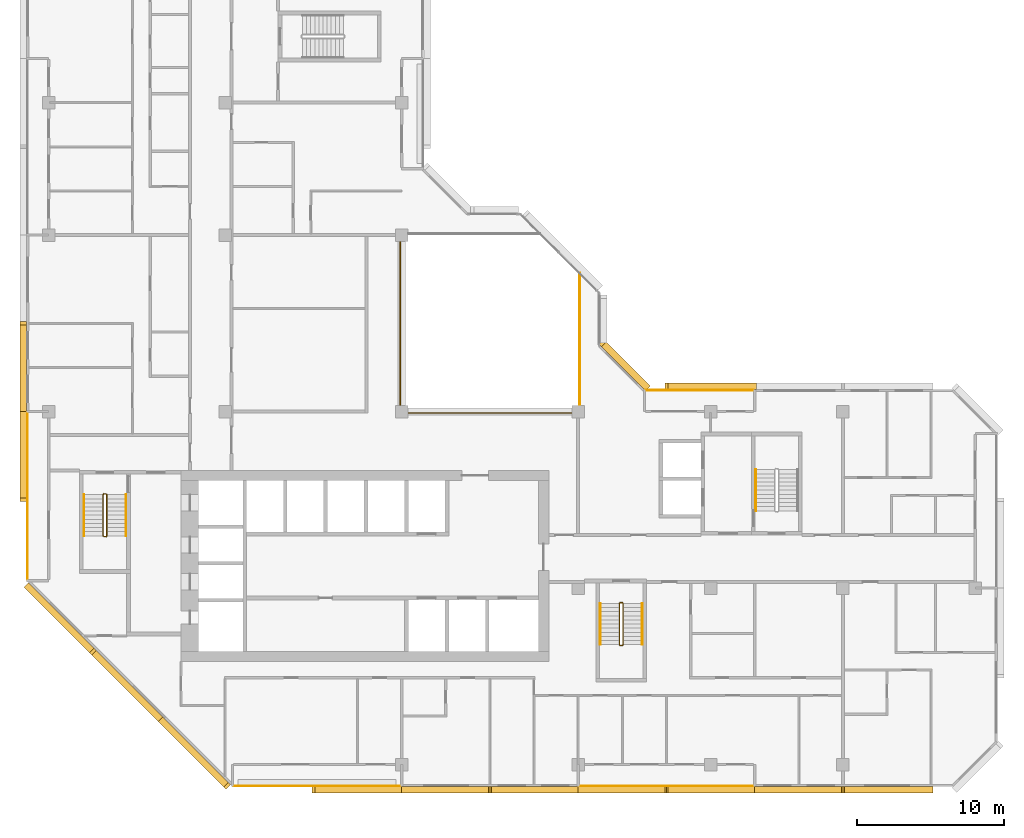
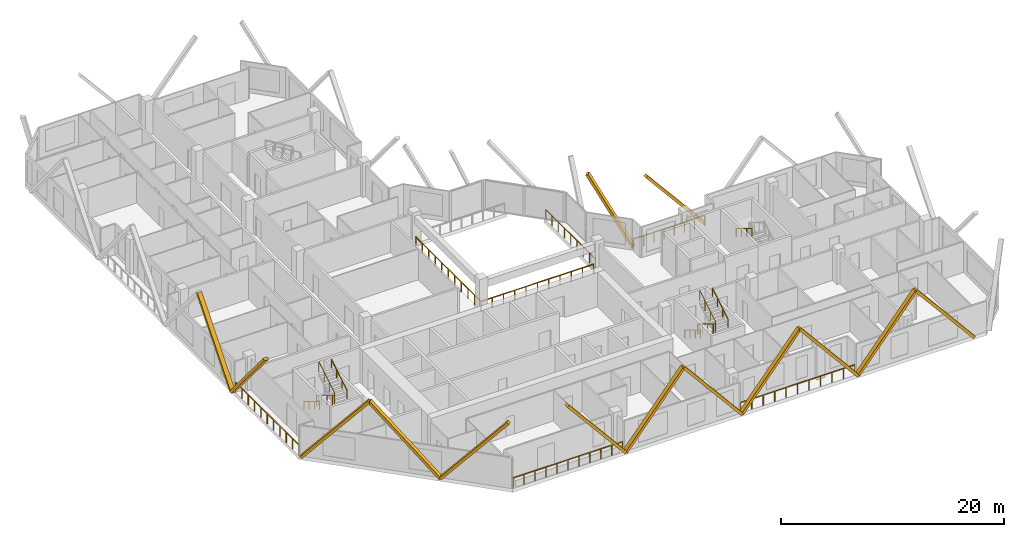
# One storey, part 13 of 14: 14 coverings, 13 railings.
"""IFC4 building model written with IfcOpenShell, lengths in metres."""

from ifc_helpers import new_model, si_unit, direction, frame, origin, origin_2d, place, context, subcontext, project, spatial, rectangle, extrude, material, material_profile, profile_set, type_object, element, save


model = new_model("IFC4")

# Units and contexts
model_context = context("Model", 3, precision=1e-05, world=origin(), true_north=direction((0.0, 1.0)))
body_context = subcontext(model_context, "Body", "Model", "MODEL_VIEW")
ifc_project = project(units=[si_unit("LENGTHUNIT", "METRE"), si_unit("AREAUNIT", "SQUARE_METRE"), si_unit("VOLUMEUNIT", "CUBIC_METRE"), si_unit("PLANEANGLEUNIT", "RADIAN"), si_unit("MASSUNIT", "GRAM", prefix="KILO")], contexts=[model_context])

# Site, building, storey
site_placement = place(None, origin())
site = spatial("IfcSite", under=ifc_project, at=site_placement, CompositionType="ELEMENT")
building_placement = place(site_placement, origin())
building = spatial("IfcBuilding", under=site, at=building_placement, Name="Chenar Terraces", CompositionType="ELEMENT")
storey_placement = place(building_placement, frame((0.0, 0.0, 226.64990234375)))
storey = spatial("IfcBuildingStorey", under=building, at=storey_placement, Name="L53", CompositionType="ELEMENT", Elevation=226.64990234375)

# Railings
ifc_material_1 = material(Name="Powder-coated steel", Category="steel")
railing_type_1 = type_object("IfcRailingType", Name="Guard 1100 steel rail with glass infill", PredefinedType="GUARDRAIL", material=ifc_material_1)
railing_1_placement = place(storey_placement, frame((23.89990234375, 35.574951171875, 0.0)))
element("IfcRailing", 1, at=railing_1_placement, inside=storey, type_object=railing_type_1, Name="Guard L53-1", PredefinedType="GUARDRAIL", context=body_context, shape_type="SweptSolid", body=[
    extrude(rectangle(XDim=0.06005859375, YDim=0.06005859375, at=origin_2d()), frame((0.0, 0.0, 1.070068359375), z_axis=(0.0, -1.0, 0.0), x_axis=(1.0, 0.0, 0.0)), (0.0, 0.0, 1.0), 11.675048828125),
    extrude(rectangle(XDim=0.06005859375, YDim=0.06005859375, at=origin_2d()), frame((0.0, -11.675048828125, 1.070068359375), z_axis=(1.0, 0.0, 0.0), x_axis=(0.0, 1.0, 0.0)), (0.0, 0.0, 1.0), 11.675048828125),
    extrude(rectangle(XDim=0.050048828125, YDim=0.050048828125, at=origin_2d()), origin(), (0.0, 0.0, 1.0), 1.0400390625),
    extrude(rectangle(XDim=0.050048828125, YDim=0.050048828125, at=origin_2d()), frame((0.0, -1.16748046875, 0.0)), (0.0, 0.0, 1.0), 1.0400390625),
    extrude(rectangle(XDim=0.050048828125, YDim=0.050048828125, at=origin_2d()), frame((0.0, -2.3349609375, 0.0)), (0.0, 0.0, 1.0), 1.0400390625),
    extrude(rectangle(XDim=0.050048828125, YDim=0.050048828125, at=origin_2d()), frame((0.0, -3.50244140625, 0.0)), (0.0, 0.0, 1.0), 1.0400390625),
    extrude(rectangle(XDim=0.050048828125, YDim=0.050048828125, at=origin_2d()), frame((0.0, -4.669921875, 0.0)), (0.0, 0.0, 1.0), 1.0400390625),
    extrude(rectangle(XDim=0.050048828125, YDim=0.050048828125, at=origin_2d()), frame((0.0, -5.83740234375, 0.0)), (0.0, 0.0, 1.0), 1.0400390625),
    extrude(rectangle(XDim=0.050048828125, YDim=0.050048828125, at=origin_2d()), frame((0.0, -7.005126953125, 0.0)), (0.0, 0.0, 1.0), 1.0400390625),
    extrude(rectangle(XDim=0.050048828125, YDim=0.050048828125, at=origin_2d()), frame((0.0, -8.172607421875, 0.0)), (0.0, 0.0, 1.0), 1.0400390625),
    extrude(rectangle(XDim=0.050048828125, YDim=0.050048828125, at=origin_2d()), frame((0.0, -9.340087890625, 0.0)), (0.0, 0.0, 1.0), 1.0400390625),
    extrude(rectangle(XDim=0.050048828125, YDim=0.050048828125, at=origin_2d()), frame((0.0, -10.507568359375, 0.0)), (0.0, 0.0, 1.0), 1.0400390625),
    extrude(rectangle(XDim=0.050048828125, YDim=0.050048828125, at=origin_2d()), frame((0.0, -11.675048828125, 0.0)), (0.0, 0.0, 1.0), 1.0400390625),
    extrude(rectangle(XDim=0.050048828125, YDim=0.050048828125, at=origin_2d()), frame((1.16748046875, -11.675048828125, 0.0)), (0.0, 0.0, 1.0), 1.0400390625),
    extrude(rectangle(XDim=0.050048828125, YDim=0.050048828125, at=origin_2d()), frame((2.3349609375, -11.675048828125, 0.0)), (0.0, 0.0, 1.0), 1.0400390625),
    extrude(rectangle(XDim=0.050048828125, YDim=0.050048828125, at=origin_2d()), frame((3.50244140625, -11.675048828125, 0.0)), (0.0, 0.0, 1.0), 1.0400390625),
    extrude(rectangle(XDim=0.050048828125, YDim=0.050048828125, at=origin_2d()), frame((4.669921875, -11.675048828125, 0.0)), (0.0, 0.0, 1.0), 1.0400390625),
    extrude(rectangle(XDim=0.050048828125, YDim=0.050048828125, at=origin_2d()), frame((5.83740234375, -11.675048828125, 0.0)), (0.0, 0.0, 1.0), 1.0400390625),
    extrude(rectangle(XDim=0.050048828125, YDim=0.050048828125, at=origin_2d()), frame((7.005126953125, -11.675048828125, 0.0)), (0.0, 0.0, 1.0), 1.0400390625),
    extrude(rectangle(XDim=0.050048828125, YDim=0.050048828125, at=origin_2d()), frame((8.172607421875, -11.675048828125, 0.0)), (0.0, 0.0, 1.0), 1.0400390625),
    extrude(rectangle(XDim=0.050048828125, YDim=0.050048828125, at=origin_2d()), frame((9.340087890625, -11.675048828125, 0.0)), (0.0, 0.0, 1.0), 1.0400390625),
    extrude(rectangle(XDim=0.050048828125, YDim=0.050048828125, at=origin_2d()), frame((10.507568359375, -11.675048828125, 0.0)), (0.0, 0.0, 1.0), 1.0400390625),
    extrude(rectangle(XDim=0.050048828125, YDim=0.050048828125, at=origin_2d()), frame((11.675048828125, -11.675048828125, 0.0)), (0.0, 0.0, 1.0), 1.0400390625),
])
railing_2_placement = place(storey_placement, frame((36.10009765625, 24.47509765625, 0.0)))
element("IfcRailing", 2, at=railing_2_placement, inside=storey, type_object=railing_type_1, Name="Guard L53-3", PredefinedType="GUARDRAIL", context=body_context, shape_type="SweptSolid", body=[
    extrude(rectangle(XDim=0.06005859375, YDim=0.06005859375, at=origin_2d()), frame((0.0, 0.0, 1.070068359375), z_axis=(0.0, 1.0, 0.0), x_axis=(-1.0, 0.0, 0.0)), (0.0, 0.0, 1.0), 8.9248046875),
    extrude(rectangle(XDim=0.050048828125, YDim=0.050048828125, at=origin_2d()), origin(), (0.0, 0.0, 1.0), 1.0400390625),
    extrude(rectangle(XDim=0.050048828125, YDim=0.050048828125, at=origin_2d()), frame((0.0, 1.11572265625, 0.0)), (0.0, 0.0, 1.0), 1.0400390625),
    extrude(rectangle(XDim=0.050048828125, YDim=0.050048828125, at=origin_2d()), frame((0.0, 2.231201171875, 0.0)), (0.0, 0.0, 1.0), 1.0400390625),
    extrude(rectangle(XDim=0.050048828125, YDim=0.050048828125, at=origin_2d()), frame((0.0, 3.3466796875, 0.0)), (0.0, 0.0, 1.0), 1.0400390625),
    extrude(rectangle(XDim=0.050048828125, YDim=0.050048828125, at=origin_2d()), frame((0.0, 4.46240234375, 0.0)), (0.0, 0.0, 1.0), 1.0400390625),
    extrude(rectangle(XDim=0.050048828125, YDim=0.050048828125, at=origin_2d()), frame((0.0, 5.578125, 0.0)), (0.0, 0.0, 1.0), 1.0400390625),
    extrude(rectangle(XDim=0.050048828125, YDim=0.050048828125, at=origin_2d()), frame((0.0, 6.693603515625, 0.0)), (0.0, 0.0, 1.0), 1.0400390625),
    extrude(rectangle(XDim=0.050048828125, YDim=0.050048828125, at=origin_2d()), frame((0.0, 7.80908203125, 0.0)), (0.0, 0.0, 1.0), 1.0400390625),
    extrude(rectangle(XDim=0.050048828125, YDim=0.050048828125, at=origin_2d()), frame((0.0, 8.9248046875, 0.0)), (0.0, 0.0, 1.0), 1.0400390625),
])
ifc_material_2 = material(Name="Stainless steel and glass", Category="steel")
railing_type_2 = type_object("IfcRailingType", Name="Loggia guard 1150", PredefinedType="GUARDRAIL", material=ifc_material_2)
railing_3_placement = place(storey_placement, frame((47.925048828125, 25.449951171875, 0.0)))
element("IfcRailing", 3, at=railing_3_placement, inside=storey, type_object=railing_type_2, Name="Loggia guard", PredefinedType="GUARDRAIL", context=body_context, shape_type="SweptSolid", body=[
    extrude(rectangle(XDim=0.048095703125, YDim=0.048095703125, at=origin_2d()), frame((0.0, 0.0, 1.1259765625), z_axis=(-1.0, 0.0, 0.0), x_axis=(0.0, -1.0, 0.0)), (0.0, 0.0, 1.0), 7.35009765625),
    extrude(rectangle(XDim=0.0419921875, YDim=0.0419921875, at=origin_2d()), origin(), (0.0, 0.0, 1.0), 1.101806640625),
    extrude(rectangle(XDim=0.0419921875, YDim=0.0419921875, at=origin_2d()), frame((-1.050048828125, 0.0, 0.0)), (0.0, 0.0, 1.0), 1.101806640625),
    extrude(rectangle(XDim=0.0419921875, YDim=0.0419921875, at=origin_2d()), frame((-2.10009765625, 0.0, 0.0)), (0.0, 0.0, 1.0), 1.101806640625),
    extrude(rectangle(XDim=0.0419921875, YDim=0.0419921875, at=origin_2d()), frame((-3.150146484375, 0.0, 0.0)), (0.0, 0.0, 1.0), 1.101806640625),
    extrude(rectangle(XDim=0.0419921875, YDim=0.0419921875, at=origin_2d()), frame((-4.199951171875, 0.0, 0.0)), (0.0, 0.0, 1.0), 1.101806640625),
    extrude(rectangle(XDim=0.0419921875, YDim=0.0419921875, at=origin_2d()), frame((-5.25, 0.0, 0.0)), (0.0, 0.0, 1.0), 1.101806640625),
    extrude(rectangle(XDim=0.0419921875, YDim=0.0419921875, at=origin_2d()), frame((-6.300048828125, 0.0, 0.0)), (0.0, 0.0, 1.0), 1.101806640625),
    extrude(rectangle(XDim=0.0419921875, YDim=0.0419921875, at=origin_2d()), frame((-7.35009765625, 0.0, 0.0)), (0.0, 0.0, 1.0), 1.101806640625),
])
railing_4_placement = place(storey_placement, frame((12.574951171875, -1.449951171875, 0.0)))
element("IfcRailing", 4, at=railing_4_placement, inside=storey, type_object=railing_type_2, Name="Loggia guard", PredefinedType="GUARDRAIL", context=body_context, shape_type="SweptSolid", body=[
    extrude(rectangle(XDim=0.048095703125, YDim=0.048095703125, at=origin_2d()), frame((0.0, 0.0, 1.1259765625), z_axis=(1.0, 0.0, 0.0), x_axis=(0.0, 1.0, 0.0)), (0.0, 0.0, 1.0), 11.35009765625),
    extrude(rectangle(XDim=0.0419921875, YDim=0.0419921875, at=origin_2d()), origin(), (0.0, 0.0, 1.0), 1.101806640625),
    extrude(rectangle(XDim=0.0419921875, YDim=0.0419921875, at=origin_2d()), frame((1.135009765625, 0.0, 0.0)), (0.0, 0.0, 1.0), 1.101806640625),
    extrude(rectangle(XDim=0.0419921875, YDim=0.0419921875, at=origin_2d()), frame((2.27001953125, 0.0, 0.0)), (0.0, 0.0, 1.0), 1.101806640625),
    extrude(rectangle(XDim=0.0419921875, YDim=0.0419921875, at=origin_2d()), frame((3.405029296875, 0.0, 0.0)), (0.0, 0.0, 1.0), 1.101806640625),
    extrude(rectangle(XDim=0.0419921875, YDim=0.0419921875, at=origin_2d()), frame((4.5400390625, 0.0, 0.0)), (0.0, 0.0, 1.0), 1.101806640625),
    extrude(rectangle(XDim=0.0419921875, YDim=0.0419921875, at=origin_2d()), frame((5.675048828125, 0.0, 0.0)), (0.0, 0.0, 1.0), 1.101806640625),
    extrude(rectangle(XDim=0.0419921875, YDim=0.0419921875, at=origin_2d()), frame((6.81005859375, 0.0, 0.0)), (0.0, 0.0, 1.0), 1.101806640625),
    extrude(rectangle(XDim=0.0419921875, YDim=0.0419921875, at=origin_2d()), frame((7.945068359375, 0.0, 0.0)), (0.0, 0.0, 1.0), 1.101806640625),
    extrude(rectangle(XDim=0.0419921875, YDim=0.0419921875, at=origin_2d()), frame((9.080078125, 0.0, 0.0)), (0.0, 0.0, 1.0), 1.101806640625),
    extrude(rectangle(XDim=0.0419921875, YDim=0.0419921875, at=origin_2d()), frame((10.215087890625, 0.0, 0.0)), (0.0, 0.0, 1.0), 1.101806640625),
    extrude(rectangle(XDim=0.0419921875, YDim=0.0419921875, at=origin_2d()), frame((11.35009765625, 0.0, 0.0)), (0.0, 0.0, 1.0), 1.101806640625),
])
railing_5_placement = place(storey_placement, frame((36.074951171875, -1.449951171875, 0.0)))
element("IfcRailing", 5, at=railing_5_placement, inside=storey, type_object=railing_type_2, Name="Loggia guard", PredefinedType="GUARDRAIL", context=body_context, shape_type="SweptSolid", body=[
    extrude(rectangle(XDim=0.048095703125, YDim=0.048095703125, at=origin_2d()), frame((0.0, 0.0, 1.1259765625), z_axis=(1.0, 0.0, 0.0), x_axis=(0.0, 1.0, 0.0)), (0.0, 0.0, 1.0), 11.85009765625),
    extrude(rectangle(XDim=0.0419921875, YDim=0.0419921875, at=origin_2d()), origin(), (0.0, 0.0, 1.0), 1.101806640625),
    extrude(rectangle(XDim=0.0419921875, YDim=0.0419921875, at=origin_2d()), frame((1.18505859375, 0.0, 0.0)), (0.0, 0.0, 1.0), 1.101806640625),
    extrude(rectangle(XDim=0.0419921875, YDim=0.0419921875, at=origin_2d()), frame((2.3701171875, 0.0, 0.0)), (0.0, 0.0, 1.0), 1.101806640625),
    extrude(rectangle(XDim=0.0419921875, YDim=0.0419921875, at=origin_2d()), frame((3.554931640625, 0.0, 0.0)), (0.0, 0.0, 1.0), 1.101806640625),
    extrude(rectangle(XDim=0.0419921875, YDim=0.0419921875, at=origin_2d()), frame((4.739990234375, 0.0, 0.0)), (0.0, 0.0, 1.0), 1.101806640625),
    extrude(rectangle(XDim=0.0419921875, YDim=0.0419921875, at=origin_2d()), frame((5.925048828125, 0.0, 0.0)), (0.0, 0.0, 1.0), 1.101806640625),
    extrude(rectangle(XDim=0.0419921875, YDim=0.0419921875, at=origin_2d()), frame((7.110107421875, 0.0, 0.0)), (0.0, 0.0, 1.0), 1.101806640625),
    extrude(rectangle(XDim=0.0419921875, YDim=0.0419921875, at=origin_2d()), frame((8.295166015625, 0.0, 0.0)), (0.0, 0.0, 1.0), 1.101806640625),
    extrude(rectangle(XDim=0.0419921875, YDim=0.0419921875, at=origin_2d()), frame((9.47998046875, 0.0, 0.0)), (0.0, 0.0, 1.0), 1.101806640625),
    extrude(rectangle(XDim=0.0419921875, YDim=0.0419921875, at=origin_2d()), frame((10.6650390625, 0.0, 0.0)), (0.0, 0.0, 1.0), 1.101806640625),
    extrude(rectangle(XDim=0.0419921875, YDim=0.0419921875, at=origin_2d()), frame((11.85009765625, 0.0, 0.0)), (0.0, 0.0, 1.0), 1.101806640625),
])
railing_6_placement = place(storey_placement, frame((-1.449951171875, 23.925048828125, 0.0)))
element("IfcRailing", 6, at=railing_6_placement, inside=storey, type_object=railing_type_2, Name="Loggia guard", PredefinedType="GUARDRAIL", context=body_context, shape_type="SweptSolid", body=[
    extrude(rectangle(XDim=0.048095703125, YDim=0.048095703125, at=origin_2d()), frame((0.0, 0.0, 1.1259765625), z_axis=(0.0, -1.0, 0.0), x_axis=(1.0, 0.0, 0.0)), (0.0, 0.0, 1.0), 11.35009765625),
    extrude(rectangle(XDim=0.0419921875, YDim=0.0419921875, at=origin_2d()), origin(), (0.0, 0.0, 1.0), 1.101806640625),
    extrude(rectangle(XDim=0.0419921875, YDim=0.0419921875, at=origin_2d()), frame((0.0, -1.135009765625, 0.0)), (0.0, 0.0, 1.0), 1.101806640625),
    extrude(rectangle(XDim=0.0419921875, YDim=0.0419921875, at=origin_2d()), frame((0.0, -2.27001953125, 0.0)), (0.0, 0.0, 1.0), 1.101806640625),
    extrude(rectangle(XDim=0.0419921875, YDim=0.0419921875, at=origin_2d()), frame((0.0, -3.405029296875, 0.0)), (0.0, 0.0, 1.0), 1.101806640625),
    extrude(rectangle(XDim=0.0419921875, YDim=0.0419921875, at=origin_2d()), frame((0.0, -4.5400390625, 0.0)), (0.0, 0.0, 1.0), 1.101806640625),
    extrude(rectangle(XDim=0.0419921875, YDim=0.0419921875, at=origin_2d()), frame((0.0, -5.675048828125, 0.0)), (0.0, 0.0, 1.0), 1.101806640625),
    extrude(rectangle(XDim=0.0419921875, YDim=0.0419921875, at=origin_2d()), frame((0.0, -6.81005859375, 0.0)), (0.0, 0.0, 1.0), 1.101806640625),
    extrude(rectangle(XDim=0.0419921875, YDim=0.0419921875, at=origin_2d()), frame((0.0, -7.945068359375, 0.0)), (0.0, 0.0, 1.0), 1.101806640625),
    extrude(rectangle(XDim=0.0419921875, YDim=0.0419921875, at=origin_2d()), frame((0.0, -9.080078125, 0.0)), (0.0, 0.0, 1.0), 1.101806640625),
    extrude(rectangle(XDim=0.0419921875, YDim=0.0419921875, at=origin_2d()), frame((0.0, -10.215087890625, 0.0)), (0.0, 0.0, 1.0), 1.101806640625),
    extrude(rectangle(XDim=0.0419921875, YDim=0.0419921875, at=origin_2d()), frame((0.0, -11.35009765625, 0.0)), (0.0, 0.0, 1.0), 1.101806640625),
])
ifc_material_3 = material(Name="Powder-coated steel", Category="steel")
railing_type_3 = type_object("IfcRailingType", Name="Stair guard 1100", PredefinedType="GUARDRAIL", material=ifc_material_3)
railing_7_placement = place(storey_placement, frame((3.949951171875, 18.35009765625, 3.75)))
element("IfcRailing", 7, at=railing_7_placement, inside=storey, type_object=railing_type_3, Name="L53 ST1 stair guard 1", PredefinedType="GUARDRAIL", context=body_context, shape_type="SweptSolid", body=[
    extrude(rectangle(XDim=0.048095703125, YDim=0.048095703125, at=origin_2d()), frame((0.0, 0.0, 1.076171875), z_axis=(0.0, -0.854202870247, -0.519939858505), x_axis=(1.0, 0.0, 0.0)), (0.0, 0.0, 1.0), 3.278076171875),
    extrude(rectangle(XDim=0.048095703125, YDim=0.048095703125, at=origin_2d()), frame((0.0, -2.800048828125, -0.62841796875), z_axis=(-0.270899902878, -0.270899902878, -0.923702595667), x_axis=(0.707106781187, -0.707106781187, 0.0)), (0.0, 0.0, 1.0), 0.184814453125),
    extrude(rectangle(XDim=0.048095703125, YDim=0.048095703125, at=origin_2d()), frame((-0.050048828125, -2.85009765625, -0.798828125), z_axis=(-1.0, 0.0, 0.0), x_axis=(0.0, -1.0, 0.0)), (0.0, 0.0, 1.0), 0.14990234375),
    extrude(rectangle(XDim=0.048095703125, YDim=0.048095703125, at=origin_2d()), frame((-0.199951171875, -2.85009765625, -0.798828125), z_axis=(-0.707106781187, 0.707106781187, 0.0), x_axis=(-0.707106781187, -0.707106781187, 0.0)), (0.0, 0.0, 1.0), 0.07080078125),
    extrude(rectangle(XDim=0.048095703125, YDim=0.048095703125, at=origin_2d()), frame((-0.25, -2.800048828125, -0.798828125), z_axis=(0.0, 0.854202870247, -0.519939858505), x_axis=(-1.0, 0.0, 0.0)), (0.0, 0.0, 1.0), 3.278076171875),
    extrude(rectangle(XDim=0.048095703125, YDim=0.048095703125, at=origin_2d()), frame((-0.25, 0.0, -2.50341796875), z_axis=(0.270996696079, 0.269674760976, -0.924032636873), x_axis=(-0.705375805398, 0.708833529934, 0.0)), (0.0, 0.0, 1.0), 0.1845703125),
    extrude(rectangle(XDim=0.048095703125, YDim=0.048095703125, at=origin_2d()), frame((-0.199951171875, 0.0498046875, -2.673828125), z_axis=(1.0, 0.0, 0.0), x_axis=(0.0, 1.0, 0.0)), (0.0, 0.0, 1.0), 0.14990234375),
    extrude(rectangle(XDim=0.0419921875, YDim=0.0419921875, at=origin_2d()), origin(), (0.0, 0.0, 1.0), 1.052001953125),
    extrude(rectangle(XDim=0.0419921875, YDim=0.0419921875, at=origin_2d()), frame((0.0, -0.933349609375, -0.568115234375)), (0.0, 0.0, 1.0), 1.052001953125),
    extrude(rectangle(XDim=0.0419921875, YDim=0.0419921875, at=origin_2d()), frame((0.0, -1.86669921875, -1.13623046875)), (0.0, 0.0, 1.0), 1.052001953125),
    extrude(rectangle(XDim=0.0419921875, YDim=0.0419921875, at=origin_2d()), frame((0.0, -2.800048828125, -1.704345703125)), (0.0, 0.0, 1.0), 1.052001953125),
    extrude(rectangle(XDim=0.0419921875, YDim=0.0419921875, at=origin_2d()), frame((-0.050048828125, -2.85009765625, -1.875)), (0.0, 0.0, 1.0), 1.052001953125),
    extrude(rectangle(XDim=0.0419921875, YDim=0.0419921875, at=origin_2d()), frame((-0.199951171875, -2.85009765625, -1.875)), (0.0, 0.0, 1.0), 1.052001953125),
    extrude(rectangle(XDim=0.0419921875, YDim=0.0419921875, at=origin_2d()), frame((-0.25, -2.800048828125, -1.875)), (0.0, 0.0, 1.0), 1.052001953125),
    extrude(rectangle(XDim=0.0419921875, YDim=0.0419921875, at=origin_2d()), frame((-0.25, -1.86669921875, -2.443115234375)), (0.0, 0.0, 1.0), 1.052001953125),
    extrude(rectangle(XDim=0.0419921875, YDim=0.0419921875, at=origin_2d()), frame((-0.25, -0.933349609375, -3.01123046875)), (0.0, 0.0, 1.0), 1.052001953125),
    extrude(rectangle(XDim=0.0419921875, YDim=0.0419921875, at=origin_2d()), frame((-0.25, 0.0, -3.579345703125)), (0.0, 0.0, 1.0), 1.052001953125),
    extrude(rectangle(XDim=0.0419921875, YDim=0.0419921875, at=origin_2d()), frame((-0.199951171875, 0.0498046875, -3.75)), (0.0, 0.0, 1.0), 1.052001953125),
    extrude(rectangle(XDim=0.0419921875, YDim=0.0419921875, at=origin_2d()), frame((-0.050048828125, 0.0498046875, -3.75)), (0.0, 0.0, 1.0), 1.052001953125),
])
railing_8_placement = place(storey_placement, frame((39.050048828125, 10.949951171875, 3.75)))
element("IfcRailing", 8, at=railing_8_placement, inside=storey, type_object=railing_type_3, Name="L53 ST2 stair guard 1", PredefinedType="GUARDRAIL", context=body_context, shape_type="SweptSolid", body=[
    extrude(rectangle(XDim=0.048095703125, YDim=0.048095703125, at=origin_2d()), frame((0.0, 0.0, 1.076171875), z_axis=(0.0, -0.854202870247, -0.519939858505), x_axis=(1.0, 0.0, 0.0)), (0.0, 0.0, 1.0), 3.278076171875),
    extrude(rectangle(XDim=0.048095703125, YDim=0.048095703125, at=origin_2d()), frame((0.0, -2.800048828125, -0.62841796875), z_axis=(-0.270996696079, -0.269674760976, -0.924032636873), x_axis=(0.705375805398, -0.708833529934, 0.0)), (0.0, 0.0, 1.0), 0.1845703125),
    extrude(rectangle(XDim=0.048095703125, YDim=0.048095703125, at=origin_2d()), frame((-0.050048828125, -2.849853515625, -0.798828125), z_axis=(-1.0, 0.0, 0.0), x_axis=(0.0, -1.0, 0.0)), (0.0, 0.0, 1.0), 0.14990234375),
    extrude(rectangle(XDim=0.048095703125, YDim=0.048095703125, at=origin_2d()), frame((-0.199951171875, -2.849853515625, -0.798828125), z_axis=(-0.708833529934, 0.705375805398, 0.0), x_axis=(-0.705375805398, -0.708833529934, 0.0)), (0.0, 0.0, 1.0), 0.070556640625),
    extrude(rectangle(XDim=0.048095703125, YDim=0.048095703125, at=origin_2d()), frame((-0.25, -2.800048828125, -0.798828125), z_axis=(0.0, 0.854202870247, -0.519939858505), x_axis=(-1.0, 0.0, 0.0)), (0.0, 0.0, 1.0), 3.278076171875),
    extrude(rectangle(XDim=0.048095703125, YDim=0.048095703125, at=origin_2d()), frame((-0.25, 0.0, -2.50341796875), z_axis=(0.270899902878, 0.270899902878, -0.923702595667), x_axis=(-0.707106781187, 0.707106781187, 0.0)), (0.0, 0.0, 1.0), 0.184814453125),
    extrude(rectangle(XDim=0.048095703125, YDim=0.048095703125, at=origin_2d()), frame((-0.199951171875, 0.050048828125, -2.673828125), z_axis=(1.0, 0.0, 0.0), x_axis=(0.0, 1.0, 0.0)), (0.0, 0.0, 1.0), 0.14990234375),
    extrude(rectangle(XDim=0.0419921875, YDim=0.0419921875, at=origin_2d()), origin(), (0.0, 0.0, 1.0), 1.052001953125),
    extrude(rectangle(XDim=0.0419921875, YDim=0.0419921875, at=origin_2d()), frame((0.0, -0.933349609375, -0.568115234375)), (0.0, 0.0, 1.0), 1.052001953125),
    extrude(rectangle(XDim=0.0419921875, YDim=0.0419921875, at=origin_2d()), frame((0.0, -1.86669921875, -1.13623046875)), (0.0, 0.0, 1.0), 1.052001953125),
    extrude(rectangle(XDim=0.0419921875, YDim=0.0419921875, at=origin_2d()), frame((0.0, -2.800048828125, -1.704345703125)), (0.0, 0.0, 1.0), 1.052001953125),
    extrude(rectangle(XDim=0.0419921875, YDim=0.0419921875, at=origin_2d()), frame((-0.050048828125, -2.849853515625, -1.875)), (0.0, 0.0, 1.0), 1.052001953125),
    extrude(rectangle(XDim=0.0419921875, YDim=0.0419921875, at=origin_2d()), frame((-0.199951171875, -2.849853515625, -1.875)), (0.0, 0.0, 1.0), 1.052001953125),
    extrude(rectangle(XDim=0.0419921875, YDim=0.0419921875, at=origin_2d()), frame((-0.25, -2.800048828125, -1.875)), (0.0, 0.0, 1.0), 1.052001953125),
    extrude(rectangle(XDim=0.0419921875, YDim=0.0419921875, at=origin_2d()), frame((-0.25, -1.86669921875, -2.443115234375)), (0.0, 0.0, 1.0), 1.052001953125),
    extrude(rectangle(XDim=0.0419921875, YDim=0.0419921875, at=origin_2d()), frame((-0.25, -0.933349609375, -3.01123046875)), (0.0, 0.0, 1.0), 1.052001953125),
    extrude(rectangle(XDim=0.0419921875, YDim=0.0419921875, at=origin_2d()), frame((-0.25, 0.0, -3.579345703125)), (0.0, 0.0, 1.0), 1.052001953125),
    extrude(rectangle(XDim=0.0419921875, YDim=0.0419921875, at=origin_2d()), frame((-0.199951171875, 0.050048828125, -3.75)), (0.0, 0.0, 1.0), 1.052001953125),
    extrude(rectangle(XDim=0.0419921875, YDim=0.0419921875, at=origin_2d()), frame((-0.050048828125, 0.050048828125, -3.75)), (0.0, 0.0, 1.0), 1.052001953125),
])
ifc_material_4 = material(Name="Powder-coated steel", Category="steel")
railing_type_4 = type_object("IfcRailingType", Name="Stair handrail 900", PredefinedType="HANDRAIL", material=ifc_material_4)
railing_9_placement = place(storey_placement, frame((2.39990234375, 18.35009765625, 0.170654296875)))
element("IfcRailing", 9, at=railing_9_placement, inside=storey, type_object=railing_type_4, Name="L53 ST1 stair handrail 1", PredefinedType="HANDRAIL", context=body_context, shape_type="SweptSolid", body=[
    extrude(rectangle(XDim=0.048095703125, YDim=0.048095703125, at=origin_2d()), frame((0.0, 0.0, 0.8759765625), z_axis=(0.0, -0.854202870247, 0.519939858505), x_axis=(1.0, 0.0, 0.0)), (0.0, 0.0, 1.0), 3.278076171875),
    extrude(rectangle(XDim=0.0419921875, YDim=0.0419921875, at=origin_2d()), origin(), (0.0, 0.0, 1.0), 0.851806640625),
    extrude(rectangle(XDim=0.0419921875, YDim=0.0419921875, at=origin_2d()), frame((0.0, -0.933349609375, 0.568115234375)), (0.0, 0.0, 1.0), 0.851806640625),
    extrude(rectangle(XDim=0.0419921875, YDim=0.0419921875, at=origin_2d()), frame((0.0, -1.86669921875, 1.13623046875)), (0.0, 0.0, 1.0), 0.851806640625),
    extrude(rectangle(XDim=0.0419921875, YDim=0.0419921875, at=origin_2d()), frame((0.0, -2.800048828125, 1.704345703125)), (0.0, 0.0, 1.0), 0.851806640625),
])
railing_10_placement = place(storey_placement, frame((5.25, 15.550048828125, 2.045654296875)))
element("IfcRailing", 10, at=railing_10_placement, inside=storey, type_object=railing_type_4, Name="L53 ST1 stair handrail 2", PredefinedType="HANDRAIL", context=body_context, shape_type="SweptSolid", body=[
    extrude(rectangle(XDim=0.048095703125, YDim=0.048095703125, at=origin_2d()), frame((0.0, 0.0, 0.8759765625), z_axis=(0.0, 0.854202870247, 0.519939858505), x_axis=(-1.0, 0.0, 0.0)), (0.0, 0.0, 1.0), 3.278076171875),
    extrude(rectangle(XDim=0.0419921875, YDim=0.0419921875, at=origin_2d()), origin(), (0.0, 0.0, 1.0), 0.851806640625),
    extrude(rectangle(XDim=0.0419921875, YDim=0.0419921875, at=origin_2d()), frame((0.0, 0.933349609375, 0.568115234375)), (0.0, 0.0, 1.0), 0.851806640625),
    extrude(rectangle(XDim=0.0419921875, YDim=0.0419921875, at=origin_2d()), frame((0.0, 1.86669921875, 1.13623046875)), (0.0, 0.0, 1.0), 0.851806640625),
    extrude(rectangle(XDim=0.0419921875, YDim=0.0419921875, at=origin_2d()), frame((0.0, 2.800048828125, 1.704345703125)), (0.0, 0.0, 1.0), 0.851806640625),
])
railing_11_placement = place(storey_placement, frame((37.5, 10.949951171875, 0.170654296875)))
element("IfcRailing", 11, at=railing_11_placement, inside=storey, type_object=railing_type_4, Name="L53 ST2 stair handrail 1", PredefinedType="HANDRAIL", context=body_context, shape_type="SweptSolid", body=[
    extrude(rectangle(XDim=0.048095703125, YDim=0.048095703125, at=origin_2d()), frame((0.0, 0.0, 0.8759765625), z_axis=(0.0, -0.854202870247, 0.519939858505), x_axis=(1.0, 0.0, 0.0)), (0.0, 0.0, 1.0), 3.278076171875),
    extrude(rectangle(XDim=0.0419921875, YDim=0.0419921875, at=origin_2d()), origin(), (0.0, 0.0, 1.0), 0.851806640625),
    extrude(rectangle(XDim=0.0419921875, YDim=0.0419921875, at=origin_2d()), frame((0.0, -0.933349609375, 0.568115234375)), (0.0, 0.0, 1.0), 0.851806640625),
    extrude(rectangle(XDim=0.0419921875, YDim=0.0419921875, at=origin_2d()), frame((0.0, -1.86669921875, 1.13623046875)), (0.0, 0.0, 1.0), 0.851806640625),
    extrude(rectangle(XDim=0.0419921875, YDim=0.0419921875, at=origin_2d()), frame((0.0, -2.800048828125, 1.704345703125)), (0.0, 0.0, 1.0), 0.851806640625),
])
railing_12_placement = place(storey_placement, frame((40.35009765625, 8.14990234375, 2.045654296875)))
element("IfcRailing", 12, at=railing_12_placement, inside=storey, type_object=railing_type_4, Name="L53 ST2 stair handrail 2", PredefinedType="HANDRAIL", context=body_context, shape_type="SweptSolid", body=[
    extrude(rectangle(XDim=0.048095703125, YDim=0.048095703125, at=origin_2d()), frame((0.0, 0.0, 0.8759765625), z_axis=(0.0, 0.854202870247, 0.519939858505), x_axis=(-1.0, 0.0, 0.0)), (0.0, 0.0, 1.0), 3.278076171875),
    extrude(rectangle(XDim=0.0419921875, YDim=0.0419921875, at=origin_2d()), origin(), (0.0, 0.0, 1.0), 0.851806640625),
    extrude(rectangle(XDim=0.0419921875, YDim=0.0419921875, at=origin_2d()), frame((0.0, 0.933349609375, 0.568115234375)), (0.0, 0.0, 1.0), 0.851806640625),
    extrude(rectangle(XDim=0.0419921875, YDim=0.0419921875, at=origin_2d()), frame((0.0, 1.86669921875, 1.13623046875)), (0.0, 0.0, 1.0), 0.851806640625),
    extrude(rectangle(XDim=0.0419921875, YDim=0.0419921875, at=origin_2d()), frame((0.0, 2.800048828125, 1.704345703125)), (0.0, 0.0, 1.0), 0.851806640625),
])
railing_13_placement = place(storey_placement, frame((48.074951171875, 20.050048828125, 2.045654296875)))
element("IfcRailing", 13, at=railing_13_placement, inside=storey, type_object=railing_type_4, Name="L53 ST3 stair handrail 2", PredefinedType="HANDRAIL", context=body_context, shape_type="SweptSolid", body=[
    extrude(rectangle(XDim=0.048095703125, YDim=0.048095703125, at=origin_2d()), frame((0.0, 0.0, 0.8759765625), z_axis=(0.0, -0.854202870247, 0.519939858505), x_axis=(1.0, 0.0, 0.0)), (0.0, 0.0, 1.0), 3.278076171875),
    extrude(rectangle(XDim=0.0419921875, YDim=0.0419921875, at=origin_2d()), origin(), (0.0, 0.0, 1.0), 0.851806640625),
    extrude(rectangle(XDim=0.0419921875, YDim=0.0419921875, at=origin_2d()), frame((0.0, -0.933349609375, 0.568115234375)), (0.0, 0.0, 1.0), 0.851806640625),
    extrude(rectangle(XDim=0.0419921875, YDim=0.0419921875, at=origin_2d()), frame((0.0, -1.86669921875, 1.13623046875)), (0.0, 0.0, 1.0), 0.851806640625),
    extrude(rectangle(XDim=0.0419921875, YDim=0.0419921875, at=origin_2d()), frame((0.0, -2.800048828125, 1.704345703125)), (0.0, 0.0, 1.0), 0.851806640625),
])

# Coverings
ifc_material_5 = material(Name="Terracotta", Category="masonry")
ifc_material_profile = material_profile(ifc_material_5, rectangle(XDim=0.449951171875, YDim=0.280029296875, at=origin_2d()), Name="Terracotta baguette 450 x 280")
ifc_profile_set = profile_set([ifc_material_profile], Name="Terracotta")
covering_type = type_object("IfcCoveringType", Name="Terracotta baguette 450 x 280", PredefinedType="CLADDING", material=ifc_profile_set)
covering_1_placement = place(storey_placement, frame((48.0, 25.72509765625, 0.150146484375), z_axis=(-0.640186961885, 0.0, 0.768219144407), x_axis=(0.0, -1.0, 0.0)))
element("IfcCovering", 14, at=covering_1_placement, inside=storey, type_object=covering_type, Name="Terracotta baguette", PredefinedType="CLADDING", context=body_context, shape_type="SweptSolid", body=[
    extrude(rectangle(XDim=0.449951171875, YDim=0.280029296875, at=origin_2d()), origin(), (0.0, 0.0, 1.0), 9.372314453125),
])
covering_2_placement = place(storey_placement, frame((40.6591796875, 25.6591796875, 0.150146484375), z_axis=(-0.358980886355, 0.358980886355, 0.861548284464), x_axis=(-0.707106781187, -0.707106781187, 0.0)))
element("IfcCovering", 15, at=covering_2_placement, inside=storey, type_object=covering_type, Name="Terracotta baguette", PredefinedType="CLADDING", context=body_context, shape_type="SweptSolid", body=[
    extrude(rectangle(XDim=0.449951171875, YDim=0.280029296875, at=origin_2d()), origin(), (0.0, 0.0, 1.0), 8.35693359375),
])
for number, where, z_axis, x_axis, name in (
    (16, (-1.72509765625, 30.0, 7.35009765625), (0.0, -0.640186961885, -0.768219144407), (1.0, 0.0, 0.0), "Terracotta baguette"),
    (17, (-1.72509765625, 24.0, 0.150146484375), (0.0, -0.640186961885, 0.768219144407), (1.0, 0.0, 0.0), "Terracotta baguette"),
):
    element("IfcCovering", number, at=place(storey_placement, frame(where, z_axis=z_axis, x_axis=x_axis)), inside=storey, type_object=covering_type, Name=name, PredefinedType="CLADDING", context=body_context, shape_type="SweptSolid", body=[
        extrude(rectangle(XDim=0.449951171875, YDim=0.280029296875, at=origin_2d()), origin(), (0.0, 0.0, 1.0), 9.372314453125),
    ])
covering_3_placement = place(storey_placement, frame((-1.447021484375, 12.128662109375, 0.150146484375), z_axis=(0.46562956823, -0.465604048687, 0.752596821038), x_axis=(0.707087403354, 0.707126158488, 0.0)))
element("IfcCovering", 18, at=covering_3_placement, inside=storey, type_object=covering_type, Name="Terracotta baguette", PredefinedType="CLADDING", context=body_context, shape_type="SweptSolid", body=[
    extrude(rectangle(XDim=0.449951171875, YDim=0.280029296875, at=origin_2d()), origin(), (0.0, 0.0, 1.0), 9.56689453125),
])
covering_4_placement = place(storey_placement, frame((3.007568359375, 7.67431640625, 7.35009765625), z_axis=(0.477802509271, -0.477802509271, -0.73716315987), x_axis=(0.707106781187, 0.707106781187, 0.0)))
element("IfcCovering", 19, at=covering_4_placement, inside=storey, type_object=covering_type, Name="Terracotta baguette", PredefinedType="CLADDING", context=body_context, shape_type="SweptSolid", body=[
    extrude(rectangle(XDim=0.449951171875, YDim=0.280029296875, at=origin_2d()), origin(), (0.0, 0.0, 1.0), 9.76708984375),
])
covering_5_placement = place(storey_placement, frame((7.67431640625, 3.007568359375, 0.150146484375), z_axis=(0.465604048687, -0.46562956823, 0.752596821038), x_axis=(0.707126158488, 0.707087403354, 0.0)))
element("IfcCovering", 20, at=covering_5_placement, inside=storey, type_object=covering_type, Name="Terracotta baguette", PredefinedType="CLADDING", context=body_context, shape_type="SweptSolid", body=[
    extrude(rectangle(XDim=0.449951171875, YDim=0.280029296875, at=origin_2d()), origin(), (0.0, 0.0, 1.0), 9.56689453125),
])
for number, where, z_axis, x_axis, name in (
    (21, (18.0, -1.72509765625, 7.35009765625), (0.640186961885, 0.0, -0.768219144407), (0.0, 1.0, 0.0), "Terracotta baguette"),
    (22, (24.0, -1.72509765625, 0.150146484375), (0.640186961885, 0.0, 0.768219144407), (0.0, 1.0, 0.0), "Terracotta baguette"),
    (23, (30.0, -1.72509765625, 7.35009765625), (0.640186961885, 0.0, -0.768219144407), (0.0, 1.0, 0.0), "Terracotta baguette"),
    (24, (36.0, -1.72509765625, 0.150146484375), (0.640186961885, 0.0, 0.768219144407), (0.0, 1.0, 0.0), "Terracotta baguette"),
    (25, (42.0, -1.72509765625, 7.35009765625), (0.640186961885, 0.0, -0.768219144407), (0.0, 1.0, 0.0), "Terracotta baguette"),
    (26, (48.0, -1.72509765625, 0.150146484375), (0.640186961885, 0.0, 0.768219144407), (0.0, 1.0, 0.0), "Terracotta baguette"),
    (27, (54.0, -1.72509765625, 7.35009765625), (0.640186961885, 0.0, -0.768219144407), (0.0, 1.0, 0.0), "Terracotta baguette"),
):
    element("IfcCovering", number, at=place(storey_placement, frame(where, z_axis=z_axis, x_axis=x_axis)), inside=storey, type_object=covering_type, Name=name, PredefinedType="CLADDING", context=body_context, shape_type="SweptSolid", body=[
        extrude(rectangle(XDim=0.449951171875, YDim=0.280029296875, at=origin_2d()), origin(), (0.0, 0.0, 1.0), 9.372314453125),
    ])

save(model, "model.ifc")
